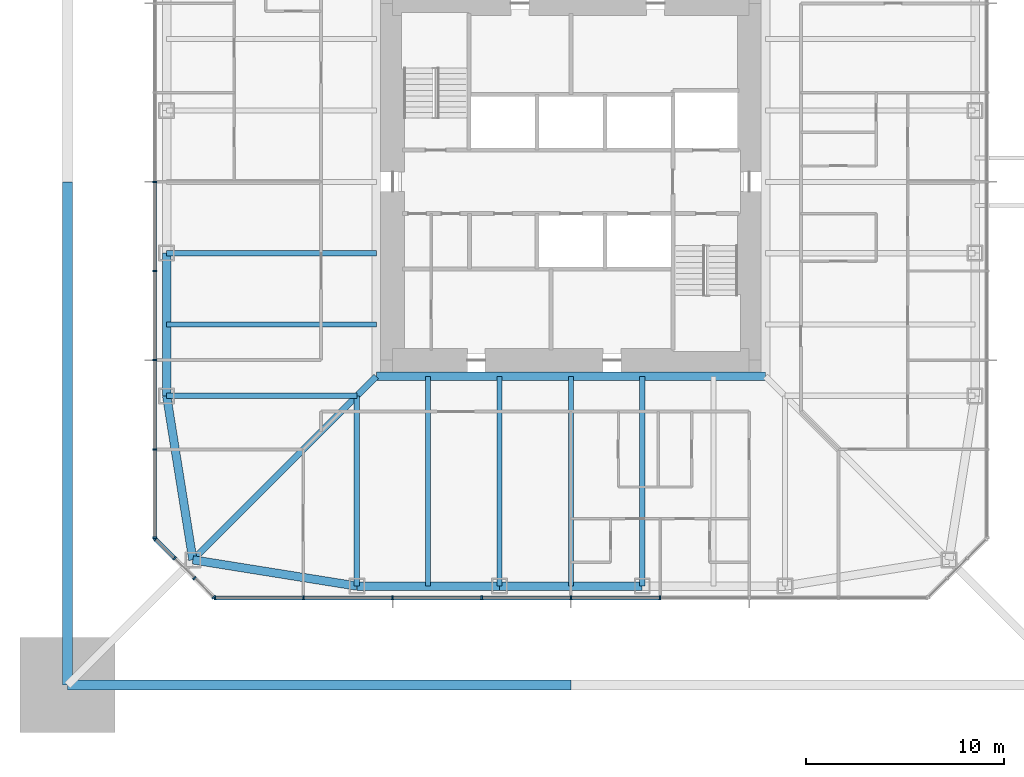
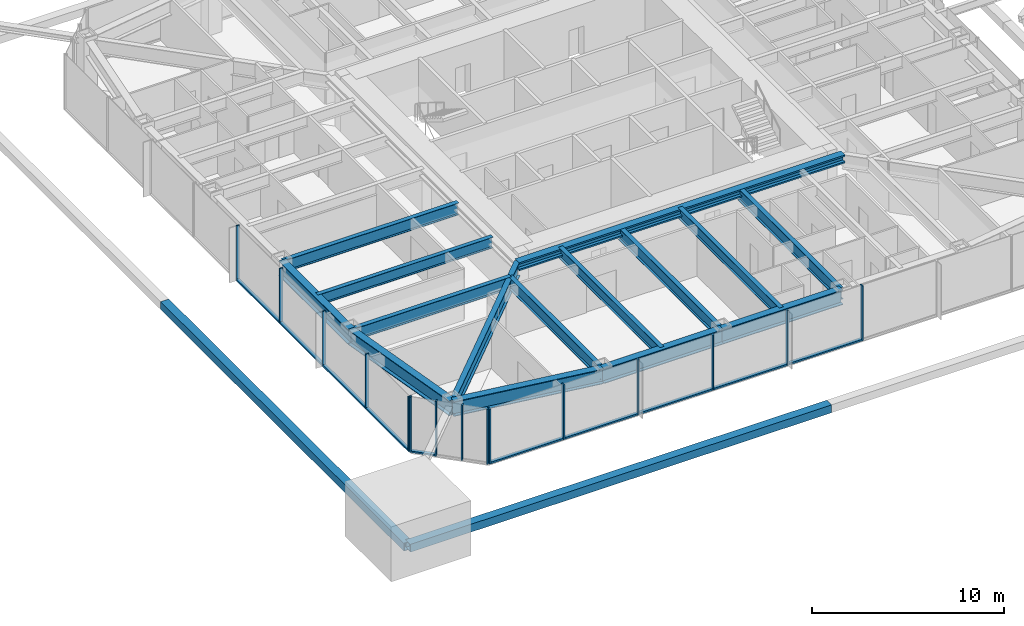
# One storey, part 2 of 26: 27 members, 15 beams, 3 elements without a shape of their own.
"""IFC4 building model written with IfcOpenShell, lengths in metres."""

from ifc_helpers import new_model, si_unit, direction, frame, origin, origin_2d, place, context, subcontext, project, spatial, rectangle, hollow_rectangle, i_section, extrude, material, material_profile, profile_set, type_object, element, aggregate, save


model = new_model("IFC4")

# Units and contexts
model_context = context("Model", 3, precision=1e-05, world=origin(), true_north=direction((0.0, 1.0)))
body_context = subcontext(model_context, "Body", "Model", "MODEL_VIEW")
ifc_project = project(units=[si_unit("LENGTHUNIT", "METRE"), si_unit("AREAUNIT", "SQUARE_METRE"), si_unit("VOLUMEUNIT", "CUBIC_METRE"), si_unit("PLANEANGLEUNIT", "RADIAN"), si_unit("MASSUNIT", "GRAM", prefix="KILO")], contexts=[model_context])

# Site, building, storey
site_placement = place(None, origin())
site = spatial("IfcSite", under=ifc_project, at=site_placement, CompositionType="ELEMENT")
building_placement = place(site_placement, origin())
building = spatial("IfcBuilding", under=site, at=building_placement, Name="Iwan Alto Co-Living Towers", CompositionType="ELEMENT")
storey_placement = place(building_placement, frame((0.0, 0.0, 126.0)))
storey = spatial("IfcBuildingStorey", under=building, at=storey_placement, Name="L34", CompositionType="ELEMENT", Elevation=126.0)

# Curtain wall, members
ifc_material_1 = material(Name="Bronze aluminium unitised frame", Category="aluminium")
curtain_wall_type_1 = type_object("IfcCurtainWallType", Name="CURTAIN WALL CW-A", PredefinedType="NOTDEFINED", material=ifc_material_1)
curtain_wall_1_placement = place(storey_placement, origin())
curtain_wall_1 = element("IfcCurtainWall", 1, at=curtain_wall_1_placement, inside=storey, type_object=curtain_wall_type_1, Name="T1 curtain wall S L34", PredefinedType="NOTDEFINED")
ifc_material_2 = material(Name="Aluminium 6063-T6 bronze anodised", Category="aluminium")
ifc_material_profile_1 = material_profile(ifc_material_2, rectangle(XDim=0.199951171875, YDim=0.080078125, at=origin_2d()), Name="AL 80X200")
ifc_profile_set_1 = profile_set([ifc_material_profile_1], Name="Aluminium 6063-T6 bronze anodised")
member_type_1 = type_object("IfcMemberType", Name="CW-A MULLION 80X200", PredefinedType="MULLION", material=ifc_profile_set_1)
member_1_placement = place(storey_placement, frame((-17.9599609375, -21.0, 0.0), z_axis=(0.0, 0.0, 1.0), x_axis=(0.0, 1.0, 0.0)))
member_1 = element("IfcMember", 2, at=member_1_placement, type_object=member_type_1, Name="CW-A mullion 1", PredefinedType="MULLION", context=body_context, shape_type="SweptSolid", body=[
    extrude(rectangle(XDim=0.199951171875, YDim=0.080078125, at=origin_2d()), origin(), (0.0, 0.0, 1.0), 3.5),
])
member_2_placement = place(storey_placement, frame((-13.5, -21.0, 0.0), z_axis=(0.0, 0.0, 1.0), x_axis=(0.0, 1.0, 0.0)))
member_2 = element("IfcMember", 3, at=member_2_placement, type_object=member_type_1, Name="CW-A mullion 2", PredefinedType="MULLION", context=body_context, shape_type="SweptSolid", body=[
    extrude(rectangle(XDim=0.199951171875, YDim=0.080078125, at=origin_2d()), origin(), (0.0, 0.0, 1.0), 3.5),
])
member_3_placement = place(storey_placement, frame((-9.0, -21.0, 0.0), z_axis=(0.0, 0.0, 1.0), x_axis=(0.0, 1.0, 0.0)))
member_3 = element("IfcMember", 4, at=member_3_placement, type_object=member_type_1, Name="CW-A mullion 3", PredefinedType="MULLION", context=body_context, shape_type="SweptSolid", body=[
    extrude(rectangle(XDim=0.199951171875, YDim=0.080078125, at=origin_2d()), origin(), (0.0, 0.0, 1.0), 3.5),
])
member_4_placement = place(storey_placement, frame((-4.5, -21.0, 0.0), z_axis=(0.0, 0.0, 1.0), x_axis=(0.0, 1.0, 0.0)))
member_4 = element("IfcMember", 5, at=member_4_placement, type_object=member_type_1, Name="CW-A mullion 4", PredefinedType="MULLION", context=body_context, shape_type="SweptSolid", body=[
    extrude(rectangle(XDim=0.199951171875, YDim=0.080078125, at=origin_2d()), origin(), (0.0, 0.0, 1.0), 3.5),
])
member_5_placement = place(storey_placement, frame((0.0, -21.0, 0.0), z_axis=(0.0, 0.0, 1.0), x_axis=(0.0, 1.0, 0.0)))
member_5 = element("IfcMember", 6, at=member_5_placement, type_object=member_type_1, Name="CW-A mullion 5", PredefinedType="MULLION", context=body_context, shape_type="SweptSolid", body=[
    extrude(rectangle(XDim=0.199951171875, YDim=0.080078125, at=origin_2d()), origin(), (0.0, 0.0, 1.0), 3.5),
])
member_6_placement = place(storey_placement, frame((4.5, -21.0, 0.0), z_axis=(0.0, 0.0, 1.0), x_axis=(0.0, 1.0, 0.0)))
member_6 = element("IfcMember", 7, at=member_6_placement, type_object=member_type_1, Name="CW-A mullion 6", PredefinedType="MULLION", context=body_context, shape_type="SweptSolid", body=[
    extrude(rectangle(XDim=0.199951171875, YDim=0.080078125, at=origin_2d()), origin(), (0.0, 0.0, 1.0), 3.5),
])

curtain_wall_2_placement = place(storey_placement, origin())
curtain_wall_2 = element("IfcCurtainWall", 8, at=curtain_wall_2_placement, inside=storey, type_object=curtain_wall_type_1, Name="T1 curtain wall W L34", PredefinedType="NOTDEFINED")
member_7_placement = place(storey_placement, frame((-21.0, 0.0, 0.0), z_axis=(0.0, 0.0, 1.0), x_axis=(1.0, 0.0, 0.0)))
member_7 = element("IfcMember", 9, at=member_7_placement, type_object=member_type_1, Name="CW-A mullion 5", PredefinedType="MULLION", context=body_context, shape_type="SweptSolid", body=[
    extrude(rectangle(XDim=0.199951171875, YDim=0.080078125, at=origin_2d()), origin(), (0.0, 0.0, 1.0), 3.5),
])
member_8_placement = place(storey_placement, frame((-21.0, -4.5, 0.0), z_axis=(0.0, 0.0, 1.0), x_axis=(1.0, 0.0, 0.0)))
member_8 = element("IfcMember", 10, at=member_8_placement, type_object=member_type_1, Name="CW-A mullion 6", PredefinedType="MULLION", context=body_context, shape_type="SweptSolid", body=[
    extrude(rectangle(XDim=0.199951171875, YDim=0.080078125, at=origin_2d()), origin(), (0.0, 0.0, 1.0), 3.5),
])
member_9_placement = place(storey_placement, frame((-21.0, -9.0, 0.0), z_axis=(0.0, 0.0, 1.0), x_axis=(1.0, 0.0, 0.0)))
member_9 = element("IfcMember", 11, at=member_9_placement, type_object=member_type_1, Name="CW-A mullion 7", PredefinedType="MULLION", context=body_context, shape_type="SweptSolid", body=[
    extrude(rectangle(XDim=0.199951171875, YDim=0.080078125, at=origin_2d()), origin(), (0.0, 0.0, 1.0), 3.5),
])
member_10_placement = place(storey_placement, frame((-21.0, -13.5, 0.0), z_axis=(0.0, 0.0, 1.0), x_axis=(1.0, 0.0, 0.0)))
member_10 = element("IfcMember", 12, at=member_10_placement, type_object=member_type_1, Name="CW-A mullion 8", PredefinedType="MULLION", context=body_context, shape_type="SweptSolid", body=[
    extrude(rectangle(XDim=0.199951171875, YDim=0.080078125, at=origin_2d()), origin(), (0.0, 0.0, 1.0), 3.5),
])
member_11_placement = place(storey_placement, frame((-21.0, -17.9599609375, 0.0), z_axis=(0.0, 0.0, 1.0), x_axis=(1.0, 0.0, 0.0)))
member_11 = element("IfcMember", 13, at=member_11_placement, type_object=member_type_1, Name="CW-A mullion 9", PredefinedType="MULLION", context=body_context, shape_type="SweptSolid", body=[
    extrude(rectangle(XDim=0.199951171875, YDim=0.080078125, at=origin_2d()), origin(), (0.0, 0.0, 1.0), 3.5),
])

# Member
ifc_material_3 = material(Name="Aluminium 6063-T6 bronze anodised", Category="aluminium")
ifc_material_profile_2 = material_profile(ifc_material_3, rectangle(XDim=0.199951171875, YDim=0.10009765625, at=origin_2d()), Name="AL 200X100")
ifc_profile_set_2 = profile_set([ifc_material_profile_2], Name="Aluminium 6063-T6 bronze anodised")
member_type_2 = type_object("IfcMemberType", Name="CW-A TRANSOM 200X100", PredefinedType="USERDEFINED", material=ifc_profile_set_2)
member_12_placement = place(storey_placement, frame((-17.919921875, -21.0, 0.050048828125), z_axis=(1.0, 0.0, 0.0), x_axis=(0.0, 1.0, 0.0)))
member_12 = element("IfcMember", 14, at=member_12_placement, type_object=member_type_2, Name="CW-A transom 1.1", ObjectType="TRANSOM", PredefinedType="USERDEFINED", context=body_context, shape_type="SweptSolid", body=[
    extrude(rectangle(XDim=0.199951171875, YDim=0.10009765625, at=origin_2d()), origin(), (0.0, 0.0, 1.0), 4.3798828125),
])

member_13_placement = place(storey_placement, frame((-13.4599609375, -21.0, 0.050048828125), z_axis=(1.0, 0.0, 0.0), x_axis=(0.0, 1.0, 0.0)))
member_13 = element("IfcMember", 15, at=member_13_placement, type_object=member_type_2, Name="CW-A transom 2.1", ObjectType="TRANSOM", PredefinedType="USERDEFINED", context=body_context, shape_type="SweptSolid", body=[
    extrude(rectangle(XDim=0.199951171875, YDim=0.10009765625, at=origin_2d()), origin(), (0.0, 0.0, 1.0), 4.419921875),
])

member_14_placement = place(storey_placement, frame((-8.9599609375, -21.0, 0.050048828125), z_axis=(1.0, 0.0, 0.0), x_axis=(0.0, 1.0, 0.0)))
member_14 = element("IfcMember", 16, at=member_14_placement, type_object=member_type_2, Name="CW-A transom 3.1", ObjectType="TRANSOM", PredefinedType="USERDEFINED", context=body_context, shape_type="SweptSolid", body=[
    extrude(rectangle(XDim=0.199951171875, YDim=0.10009765625, at=origin_2d()), origin(), (0.0, 0.0, 1.0), 4.419921875),
])

member_15_placement = place(storey_placement, frame((-4.4599609375, -21.0, 0.050048828125), z_axis=(1.0, 0.0, 0.0), x_axis=(0.0, 1.0, 0.0)))
member_15 = element("IfcMember", 17, at=member_15_placement, type_object=member_type_2, Name="CW-A transom 4.1", ObjectType="TRANSOM", PredefinedType="USERDEFINED", context=body_context, shape_type="SweptSolid", body=[
    extrude(rectangle(XDim=0.199951171875, YDim=0.10009765625, at=origin_2d()), origin(), (0.0, 0.0, 1.0), 4.419921875),
])

member_16_placement = place(storey_placement, frame((0.0400390625, -21.0, 0.050048828125), z_axis=(1.0, 0.0, 0.0), x_axis=(0.0, 1.0, 0.0)))
member_16 = element("IfcMember", 18, at=member_16_placement, type_object=member_type_2, Name="CW-A transom 5.1", ObjectType="TRANSOM", PredefinedType="USERDEFINED", context=body_context, shape_type="SweptSolid", body=[
    extrude(rectangle(XDim=0.199951171875, YDim=0.10009765625, at=origin_2d()), origin(), (0.0, 0.0, 1.0), 4.419921875),
])

aggregate(curtain_wall_1, [member_1, member_2, member_3, member_4, member_5, member_6, member_12, member_13, member_14, member_15, member_16])

member_17_placement = place(storey_placement, frame((-21.0, -0.0400390625, 0.050048828125), z_axis=(0.0, -1.0, 0.0), x_axis=(1.0, 0.0, 0.0)))
member_17 = element("IfcMember", 19, at=member_17_placement, type_object=member_type_2, Name="CW-A transom 5.1", ObjectType="TRANSOM", PredefinedType="USERDEFINED", context=body_context, shape_type="SweptSolid", body=[
    extrude(rectangle(XDim=0.199951171875, YDim=0.10009765625, at=origin_2d()), origin(), (0.0, 0.0, 1.0), 4.419921875),
])

member_18_placement = place(storey_placement, frame((-21.0, -4.5400390625, 0.050048828125), z_axis=(0.0, -1.0, 0.0), x_axis=(1.0, 0.0, 0.0)))
member_18 = element("IfcMember", 20, at=member_18_placement, type_object=member_type_2, Name="CW-A transom 6.1", ObjectType="TRANSOM", PredefinedType="USERDEFINED", context=body_context, shape_type="SweptSolid", body=[
    extrude(rectangle(XDim=0.199951171875, YDim=0.10009765625, at=origin_2d()), origin(), (0.0, 0.0, 1.0), 4.419921875),
])

member_19_placement = place(storey_placement, frame((-21.0, -9.0400390625, 0.050048828125), z_axis=(0.0, -1.0, 0.0), x_axis=(1.0, 0.0, 0.0)))
member_19 = element("IfcMember", 21, at=member_19_placement, type_object=member_type_2, Name="CW-A transom 7.1", ObjectType="TRANSOM", PredefinedType="USERDEFINED", context=body_context, shape_type="SweptSolid", body=[
    extrude(rectangle(XDim=0.199951171875, YDim=0.10009765625, at=origin_2d()), origin(), (0.0, 0.0, 1.0), 4.419921875),
])

member_20_placement = place(storey_placement, frame((-21.0, -13.5400390625, 0.050048828125), z_axis=(0.0, -1.0, 0.0), x_axis=(1.0, 0.0, 0.0)))
member_20 = element("IfcMember", 22, at=member_20_placement, type_object=member_type_2, Name="CW-A transom 8.1", ObjectType="TRANSOM", PredefinedType="USERDEFINED", context=body_context, shape_type="SweptSolid", body=[
    extrude(rectangle(XDim=0.199951171875, YDim=0.10009765625, at=origin_2d()), origin(), (0.0, 0.0, 1.0), 4.3798828125),
])

aggregate(curtain_wall_2, [member_7, member_8, member_9, member_10, member_11, member_17, member_18, member_19, member_20])

# Curtain wall, members
ifc_material_4 = material(Name="Bronze aluminium unitised frame", Category="aluminium")
curtain_wall_type_2 = type_object("IfcCurtainWallType", Name="CURTAIN WALL CW-B", PredefinedType="NOTDEFINED", material=ifc_material_4)
curtain_wall_3_placement = place(storey_placement, origin())
curtain_wall_3 = element("IfcCurtainWall", 23, at=curtain_wall_3_placement, inside=storey, type_object=curtain_wall_type_2, Name="T1 chamfer curtain wall SW L34", PredefinedType="NOTDEFINED")
ifc_material_5 = material(Name="Aluminium 6063-T6 bronze anodised", Category="aluminium")
ifc_material_profile_3 = material_profile(ifc_material_5, rectangle(XDim=0.199951171875, YDim=0.080078125, at=origin_2d()), Name="AL 80X200")
ifc_profile_set_3 = profile_set([ifc_material_profile_3], Name="Aluminium 6063-T6 bronze anodised")
member_type_3 = type_object("IfcMemberType", Name="CW-B MULLION 80X200", PredefinedType="MULLION", material=ifc_profile_set_3)
member_21_placement = place(storey_placement, frame((-20.9716796875, -18.0283203125, 0.0), z_axis=(0.0, 0.0, 1.0), x_axis=(0.707106781187, 0.707106781187, 0.0)))
member_21 = element("IfcMember", 24, at=member_21_placement, type_object=member_type_3, Name="CW-B mullion 1", PredefinedType="MULLION", context=body_context, shape_type="SweptSolid", body=[
    extrude(rectangle(XDim=0.199951171875, YDim=0.080078125, at=origin_2d()), origin(), (0.0, 0.0, 1.0), 3.5),
])
member_22_placement = place(storey_placement, frame((-20.0, -19.0, 0.0), z_axis=(0.0, 0.0, 1.0), x_axis=(0.707106781187, 0.707106781187, 0.0)))
member_22 = element("IfcMember", 25, at=member_22_placement, type_object=member_type_3, Name="CW-B mullion 2", PredefinedType="MULLION", context=body_context, shape_type="SweptSolid", body=[
    extrude(rectangle(XDim=0.199951171875, YDim=0.080078125, at=origin_2d()), origin(), (0.0, 0.0, 1.0), 3.5),
])
member_23_placement = place(storey_placement, frame((-19.0, -20.0, 0.0), z_axis=(0.0, 0.0, 1.0), x_axis=(0.707106781187, 0.707106781187, 0.0)))
member_23 = element("IfcMember", 26, at=member_23_placement, type_object=member_type_3, Name="CW-B mullion 3", PredefinedType="MULLION", context=body_context, shape_type="SweptSolid", body=[
    extrude(rectangle(XDim=0.199951171875, YDim=0.080078125, at=origin_2d()), origin(), (0.0, 0.0, 1.0), 3.5),
])
member_24_placement = place(storey_placement, frame((-18.0283203125, -20.9716796875, 0.0), z_axis=(0.0, 0.0, 1.0), x_axis=(0.707106781187, 0.707106781187, 0.0)))
member_24 = element("IfcMember", 27, at=member_24_placement, type_object=member_type_3, Name="CW-B mullion 4", PredefinedType="MULLION", context=body_context, shape_type="SweptSolid", body=[
    extrude(rectangle(XDim=0.199951171875, YDim=0.080078125, at=origin_2d()), origin(), (0.0, 0.0, 1.0), 3.5),
])
ifc_material_6 = material(Name="Aluminium 6063-T6 bronze anodised", Category="aluminium")
ifc_material_profile_4 = material_profile(ifc_material_6, rectangle(XDim=0.199951171875, YDim=0.10009765625, at=origin_2d()), Name="AL 200X100")
ifc_profile_set_4 = profile_set([ifc_material_profile_4], Name="Aluminium 6063-T6 bronze anodised")
member_type_4 = type_object("IfcMemberType", Name="CW-B TRANSOM 200X100", PredefinedType="USERDEFINED", material=ifc_profile_set_4)
member_25_placement = place(storey_placement, frame((-20.943359375, -18.056640625, 0.050048828125), z_axis=(0.707106781187, -0.707106781187, 0.0), x_axis=(0.707106781187, 0.707106781187, 0.0)))
member_25 = element("IfcMember", 28, at=member_25_placement, type_object=member_type_4, Name="CW-B transom 1.1", ObjectType="TRANSOM", PredefinedType="USERDEFINED", context=body_context, shape_type="SweptSolid", body=[
    extrude(rectangle(XDim=0.199951171875, YDim=0.10009765625, at=origin_2d()), origin(), (0.0, 0.0, 1.0), 1.2939453125),
])
aggregate(curtain_wall_3, [member_21, member_22, member_23, member_24, member_25])

# Beams
ifc_material_7 = material(Name="Steel ASTM A992 Gr 50", Category="steel")
ifc_material_profile_5 = material_profile(ifc_material_7, i_section(OverallWidth=0.436767578125, OverallDepth=0.51318359375, WebThickness=0.060546875, FlangeThickness=0.096923828125, at=origin_2d()), Name="W14X550")
ifc_profile_set_5 = profile_set([ifc_material_profile_5], Name="Steel ASTM A992 Gr 50")
beam_type_1 = type_object("IfcBeamType", Name="T1 CORE LEDGER BEAM W14X550", PredefinedType="BEAM", material=ifc_profile_set_5)
beam_1_placement = place(storey_placement, frame((-9.818359375, -9.818359375, 3.013427734375), z_axis=(1.0, 0.0, 0.0), x_axis=(0.0, 1.0, 0.0)))
element("IfcBeam", 29, at=beam_1_placement, inside=storey, type_object=beam_type_1, Name="T1 core ledger beam S L35", PredefinedType="BEAM", context=body_context, shape_type="SweptSolid", body=[
    extrude(i_section(OverallWidth=0.436767578125, OverallDepth=0.51318359375, WebThickness=0.060546875, FlangeThickness=0.096923828125, at=origin_2d()), origin(), (0.0, 0.0, 1.0), 19.63671875),
])
ifc_material_8 = material(Name="Steel ASTM A992 Gr 50", Category="steel")
ifc_material_profile_6 = material_profile(ifc_material_8, i_section(OverallWidth=0.307373046875, OverallDepth=0.927001953125, WebThickness=0.01953125, FlangeThickness=0.031982421875, at=origin_2d()), Name="W36X194")
ifc_profile_set_6 = profile_set([ifc_material_profile_6], Name="Steel ASTM A992 Gr 50")
beam_type_2 = type_object("IfcBeamType", Name="T1 CORNER GIRDER W36X194", PredefinedType="BEAM", material=ifc_profile_set_6)
beam_2_placement = place(storey_placement, frame((-19.07568359375, -19.07568359375, 2.806396484375), z_axis=(0.707106781187, 0.707106781187, 0.0), x_axis=(-0.707106781187, 0.707106781187, 0.0)))
element("IfcBeam", 30, at=beam_2_placement, inside=storey, type_object=beam_type_2, Name="T1 corner girder CSW L35", PredefinedType="BEAM", context=body_context, shape_type="SweptSolid", body=[
    extrude(i_section(OverallWidth=0.307373046875, OverallDepth=0.927001953125, WebThickness=0.01953125, FlangeThickness=0.031982421875, at=origin_2d()), origin(), (0.0, 0.0, 1.0), 13.091796875),
])
ifc_material_9 = material(Name="Steel ASTM A992 Gr 50", Category="steel")
ifc_material_profile_7 = material_profile(ifc_material_9, i_section(OverallWidth=0.424072265625, OverallDepth=0.947509765625, WebThickness=0.02392578125, FlangeThickness=0.042724609375, at=origin_2d()), Name="W36X302")
ifc_profile_set_7 = profile_set([ifc_material_profile_7], Name="Steel ASTM A992 Gr 50")
beam_type_3 = type_object("IfcBeamType", Name="T1 EDGE BEAM W36X302", PredefinedType="BEAM", material=ifc_profile_set_7)
beam_3_placement = place(storey_placement, frame((-19.07568359375, -19.07568359375, 2.79638671875), z_axis=(0.987438450439, -0.158004134737, 0.0), x_axis=(0.158004134737, 0.987438450439, 0.0)))
element("IfcBeam", 31, at=beam_3_placement, inside=storey, type_object=beam_type_3, Name="T1 edge beam CSW L35", PredefinedType="BEAM", context=body_context, shape_type="SweptSolid", body=[
    extrude(i_section(OverallWidth=0.424072265625, OverallDepth=0.947509765625, WebThickness=0.02392578125, FlangeThickness=0.042724609375, at=origin_2d()), origin(), (0.0, 0.0, 1.0), 8.380859375),
])
beam_4_placement = place(storey_placement, frame((-10.800048828125, -20.39990234375, 2.79638671875), z_axis=(1.0, 0.0, 0.0), x_axis=(0.0, 1.0, 0.0)))
element("IfcBeam", 32, at=beam_4_placement, inside=storey, type_object=beam_type_3, Name="T1 edge beam S1 L35", PredefinedType="BEAM", context=body_context, shape_type="SweptSolid", body=[
    extrude(i_section(OverallWidth=0.424072265625, OverallDepth=0.947509765625, WebThickness=0.02392578125, FlangeThickness=0.042724609375, at=origin_2d()), origin(), (0.0, 0.0, 1.0), 7.199951171875),
])
beam_5_placement = place(storey_placement, frame((-3.60009765625, -20.39990234375, 2.79638671875), z_axis=(1.0, 0.0, 0.0), x_axis=(0.0, 1.0, 0.0)))
element("IfcBeam", 33, at=beam_5_placement, inside=storey, type_object=beam_type_3, Name="T1 edge beam S2 L35", PredefinedType="BEAM", context=body_context, shape_type="SweptSolid", body=[
    extrude(i_section(OverallWidth=0.424072265625, OverallDepth=0.947509765625, WebThickness=0.02392578125, FlangeThickness=0.042724609375, at=origin_2d()), origin(), (0.0, 0.0, 1.0), 7.2001953125),
])
beam_6_placement = place(storey_placement, frame((-20.39990234375, -3.60009765625, 2.79638671875), z_axis=(0.0, -1.0, 0.0), x_axis=(1.0, 0.0, 0.0)))
element("IfcBeam", 34, at=beam_6_placement, inside=storey, type_object=beam_type_3, Name="T1 edge beam W3 L35", PredefinedType="BEAM", context=body_context, shape_type="SweptSolid", body=[
    extrude(i_section(OverallWidth=0.424072265625, OverallDepth=0.947509765625, WebThickness=0.02392578125, FlangeThickness=0.042724609375, at=origin_2d()), origin(), (0.0, 0.0, 1.0), 7.199951171875),
])
beam_7_placement = place(storey_placement, frame((-20.39990234375, -10.800048828125, 2.79638671875), z_axis=(0.158004134737, -0.987438450439, 0.0), x_axis=(0.987438450439, 0.158004134737, 0.0)))
element("IfcBeam", 35, at=beam_7_placement, inside=storey, type_object=beam_type_3, Name="T1 edge beam W4 L35", PredefinedType="BEAM", context=body_context, shape_type="SweptSolid", body=[
    extrude(i_section(OverallWidth=0.424072265625, OverallDepth=0.947509765625, WebThickness=0.02392578125, FlangeThickness=0.042724609375, at=origin_2d()), origin(), (0.0, 0.0, 1.0), 8.380859375),
])

# Members
ifc_material_10 = material(Name="Steel ASTM A572 Gr 50", Category="steel")
ifc_material_profile_8 = material_profile(ifc_material_10, hollow_rectangle(XDim=0.5, YDim=0.5, WallThickness=0.031982421875, at=origin_2d()), Name="BOX 500X500X32")
ifc_profile_set_8 = profile_set([ifc_material_profile_8], Name="Steel ASTM A572 Gr 50")
member_type_5 = type_object("IfcMemberType", Name="T1 MEGA TIE BOX 500X500X32", PredefinedType="STRUT", material=ifc_profile_set_8)
for number, where, z_axis, x_axis, name in (
    (36, (-25.39990234375, -25.39990234375, 0.0), (1.0, 0.0, 0.0), (0.0, 1.0, 0.0), "T1 mega tie Z2B S 1"),
    (37, (-25.39990234375, 0.0, 0.0), (0.0, -1.0, 0.0), (1.0, 0.0, 0.0), "T1 mega tie Z2B W 2"),
):
    element("IfcMember", number, at=place(storey_placement, frame(where, z_axis=z_axis, x_axis=x_axis)), inside=storey, type_object=member_type_5, Name=name, PredefinedType="STRUT", context=body_context, shape_type="SweptSolid", body=[
        extrude(hollow_rectangle(XDim=0.5, YDim=0.5, WallThickness=0.031982421875, at=origin_2d()), origin(), (0.0, 0.0, 1.0), 25.39990234375),
    ])

# Beams
ifc_material_11 = material(Name="Steel ASTM A992 Gr 50", Category="steel")
ifc_material_profile_9 = material_profile(ifc_material_11, i_section(OverallWidth=0.2666015625, OverallDepth=0.761962890625, WebThickness=0.014404296875, FlangeThickness=0.021484375, at=origin_2d()), Name="W30X116")
ifc_profile_set_9 = profile_set([ifc_material_profile_9], Name="Steel ASTM A992 Gr 50")
beam_type_4 = type_object("IfcBeamType", Name="T1 RADIAL BEAM W30X116", PredefinedType="BEAM", material=ifc_profile_set_9)
beam_8_placement = place(storey_placement, frame((-10.800048828125, -20.39990234375, 2.888916015625), z_axis=(0.0, 1.0, 0.0), x_axis=(-1.0, 0.0, 0.0)))
element("IfcBeam", 38, at=beam_8_placement, inside=storey, type_object=beam_type_4, Name="T1 radial beam S1 L35", PredefinedType="BEAM", context=body_context, shape_type="SweptSolid", body=[
    extrude(i_section(OverallWidth=0.2666015625, OverallDepth=0.761962890625, WebThickness=0.014404296875, FlangeThickness=0.021484375, at=origin_2d()), origin(), (0.0, 0.0, 1.0), 9.599853515625),
])
for number, where, z_axis, x_axis, name in (
    (39, (-3.60009765625, -20.39990234375, 2.888916015625), (0.0, 1.0, 0.0), (-1.0, 0.0, 0.0), "T1 radial beam S2 L35"),
    (40, (3.60009765625, -20.39990234375, 2.888916015625), (0.0, 1.0, 0.0), (-1.0, 0.0, 0.0), "T1 radial beam S3 L35"),
    (41, (-20.39990234375, -3.60009765625, 2.888916015625), (1.0, 0.0, 0.0), (0.0, 1.0, 0.0), "T1 radial beam W3 L35"),
):
    element("IfcBeam", number, at=place(storey_placement, frame(where, z_axis=z_axis, x_axis=x_axis)), inside=storey, type_object=beam_type_4, Name=name, PredefinedType="BEAM", context=body_context, shape_type="SweptSolid", body=[
        extrude(i_section(OverallWidth=0.2666015625, OverallDepth=0.761962890625, WebThickness=0.014404296875, FlangeThickness=0.021484375, at=origin_2d()), origin(), (0.0, 0.0, 1.0), 10.58154296875),
    ])
beam_9_placement = place(storey_placement, frame((-20.39990234375, -10.800048828125, 2.888916015625), z_axis=(1.0, 0.0, 0.0), x_axis=(0.0, 1.0, 0.0)))
element("IfcBeam", 42, at=beam_9_placement, inside=storey, type_object=beam_type_4, Name="T1 radial beam W4 L35", PredefinedType="BEAM", context=body_context, shape_type="SweptSolid", body=[
    extrude(i_section(OverallWidth=0.2666015625, OverallDepth=0.761962890625, WebThickness=0.014404296875, FlangeThickness=0.021484375, at=origin_2d()), origin(), (0.0, 0.0, 1.0), 9.599853515625),
])
ifc_material_12 = material(Name="Steel ASTM A992 Gr 50", Category="steel")
ifc_material_profile_10 = material_profile(ifc_material_12, i_section(OverallWidth=0.25390625, OverallDepth=0.683349609375, WebThickness=0.012451171875, FlangeThickness=0.018798828125, at=origin_2d()), Name="W27X94")
ifc_profile_set_10 = profile_set([ifc_material_profile_10], Name="Steel ASTM A992 Gr 50")
beam_type_5 = type_object("IfcBeamType", Name="T1 SECONDARY BEAM W27X94", PredefinedType="JOIST", material=ifc_profile_set_10)
for number, where, z_axis, x_axis, name in (
    (43, (-7.199951171875, -20.39990234375, 2.928466796875), (0.0, 1.0, 0.0), (-1.0, 0.0, 0.0), "T1 secondary beam S1 L35"),
    (44, (0.0, -20.39990234375, 2.928466796875), (0.0, 1.0, 0.0), (-1.0, 0.0, 0.0), "T1 secondary beam S2 L35"),
    (45, (-20.39990234375, -7.199951171875, 2.928466796875), (1.0, 0.0, 0.0), (0.0, 1.0, 0.0), "T1 secondary beam W3 L35"),
):
    element("IfcBeam", number, at=place(storey_placement, frame(where, z_axis=z_axis, x_axis=x_axis)), inside=storey, type_object=beam_type_5, Name=name, PredefinedType="JOIST", context=body_context, shape_type="SweptSolid", body=[
        extrude(i_section(OverallWidth=0.25390625, OverallDepth=0.683349609375, WebThickness=0.012451171875, FlangeThickness=0.018798828125, at=origin_2d()), origin(), (0.0, 0.0, 1.0), 10.58154296875),
    ])

save(model, "model.ifc")
